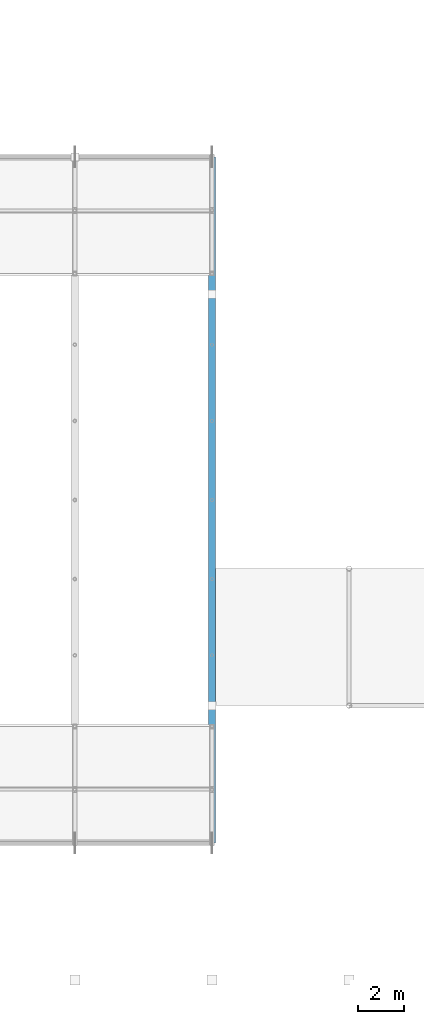
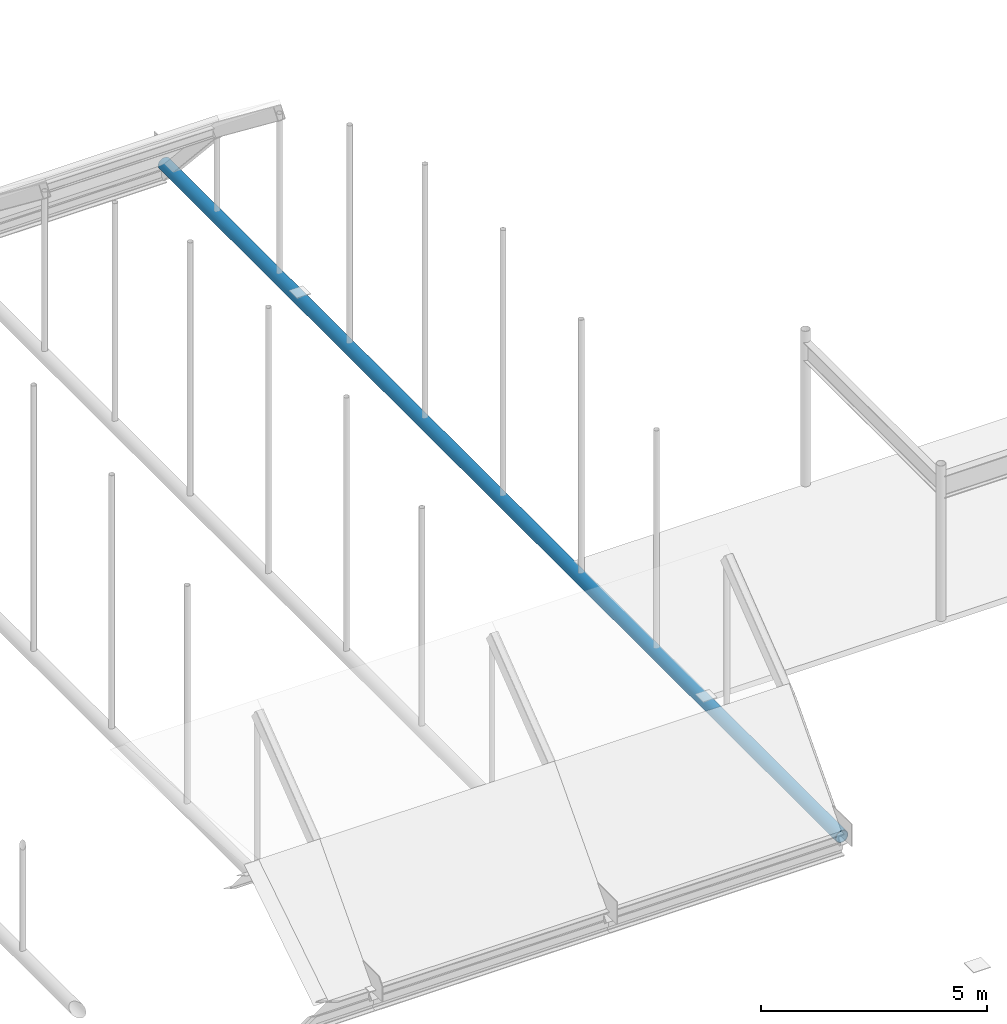
# One storey, part 55 of 116: 1 member.
"""IFC4 building model written with IfcOpenShell, lengths in metres."""

import ifcopenshell
import ifcopenshell.guid

model = None  # the IFC model being written
_history = None  # IfcOwnerHistory: only IFC2X3 demands one
_inside = {}  # id of a spatial element -> (the spatial element, [elements in it])
_under = {}  # id of a project, library or spatial element -> (it, [spatial elements below it])
_declared = {}  # id of a project -> (the project, [libraries it declares])
_typed = {}  # id of a type object -> (the type object, [elements of that type])
_made_of = {}  # id of a material, layer set ... -> (it, [elements and type objects made of it])


def new_model(schema):
    """Start an empty IFC model of exactly this schema.

    Asked for "IFC4X3", IfcOpenShell would pick the latest addendum, in which some entities
    have other attributes; the version numbers below select the first issue.
    IFC2X3 requires an IfcOwnerHistory on every rooted entity: one is made here for all.
    """
    global model, _history
    if schema == "IFC4X3":
        model = ifcopenshell.file(schema_version=(4, 3, 0, 0))
    else:
        model = ifcopenshell.file(schema=schema)
    _inside.clear()
    _under.clear()
    _declared.clear()
    _typed.clear()
    _made_of.clear()
    _history = None
    if model.schema == "IFC2X3":
        org = make("IfcOrganization", Name="unknown")
        user = make(
            "IfcPersonAndOrganization",
            ThePerson=make("IfcPerson", FamilyName="unknown"),
            TheOrganization=org,
        )
        app = make(
            "IfcApplication",
            ApplicationDeveloper=org,
            Version="unknown",
            ApplicationFullName="unknown",
            ApplicationIdentifier="unknown",
        )
        _history = make(
            "IfcOwnerHistory",
            OwningUser=user,
            OwningApplication=app,
            ChangeAction="ADDED",
            CreationDate=0,
        )
    return model


def make(cls, **values):
    """One entity of the class cls with the attributes given. An attribute that is None is left unset."""
    return model.create_entity(
        cls, **{name: value for name, value in values.items() if value is not None}
    )


def rooted(cls, **values):
    """An entity with a GlobalId (a new one), such as an element, a storey or a relation."""
    return make(cls, GlobalId=ifcopenshell.guid.new(), OwnerHistory=_history, **values)


def si_unit(unit_type, name, prefix=None):
    """IfcSIUnit, for example si_unit("LENGTHUNIT", "METRE", prefix="MILLI")."""
    return make("IfcSIUnit", UnitType=unit_type, Prefix=prefix, Name=name)


def assignment(units):
    """IfcUnitAssignment: the units of a project."""
    return None if units is None else make("IfcUnitAssignment", Units=units)


def point(xyz):
    """IfcCartesianPoint."""
    return None if xyz is None else make("IfcCartesianPoint", Coordinates=xyz)


def direction(xyz):
    """IfcDirection."""
    return None if xyz is None else make("IfcDirection", DirectionRatios=xyz)


def frame(location, z_axis=None, x_axis=None):
    """IfcAxis2Placement3D, a coordinate frame: its origin and axes. An axis left out is left unset."""
    return make(
        "IfcAxis2Placement3D",
        Location=point(location),
        Axis=direction(z_axis),
        RefDirection=direction(x_axis),
    )


def frame_2d(location, x_axis=None):
    """IfcAxis2Placement2D, a coordinate frame in the plane: its origin and x axis."""
    return make(
        "IfcAxis2Placement2D", Location=point(location), RefDirection=direction(x_axis)
    )


def origin():
    """The frame at (0, 0, 0) with its axes left unset."""
    return frame((0.0, 0.0, 0.0))


def origin_2d():
    """The frame at (0, 0) in the plane with its x axis left unset."""
    return frame_2d((0.0, 0.0))


def place(relative_to, where):
    """IfcLocalPlacement: puts the frame where relative to a parent placement (None: the world)."""
    return make(
        "IfcLocalPlacement", PlacementRelTo=relative_to, RelativePlacement=where
    )


def context(
    kind, dimensions, precision=None, world=None, true_north=None, identifier=None
):
    """IfcGeometricRepresentationContext, for example the 3D "Model" context."""
    return make(
        "IfcGeometricRepresentationContext",
        ContextIdentifier=identifier,
        ContextType=kind,
        CoordinateSpaceDimension=dimensions,
        Precision=precision,
        WorldCoordinateSystem=world,
        TrueNorth=true_north,
    )


def subcontext(parent, identifier, kind, view, scale=None):
    """IfcGeometricRepresentationSubContext, for example "Body" below "Model"."""
    return make(
        "IfcGeometricRepresentationSubContext",
        ContextIdentifier=identifier,
        ContextType=kind,
        ParentContext=parent,
        TargetScale=scale,
        TargetView=view,
    )


def project(units=None, contexts=None):
    """IfcProject with its units and contexts."""
    return rooted(
        "IfcProject",
        Name="project",
        RepresentationContexts=contexts,
        UnitsInContext=assignment(units),
    )


def spatial(cls, under=None, at=None, **own):
    """A site, building, storey or space (cls), placed at a placement, below another one or the project."""
    s = rooted(cls, ObjectPlacement=at, **own)
    if under is not None:
        _under.setdefault(under.id(), (under, []))[1].append(s)
    return s


def profile(cls, at=None, kind="AREA", **sizes):
    """A parametric profile (cls). Its sizes go by their IFC names, for example OverallWidth=200.0."""
    return make(cls, ProfileType=kind, Position=at, **sizes)


def hollow_circle(**sizes):
    """IfcCircleHollowProfileDef."""
    return profile("IfcCircleHollowProfileDef", **sizes)


def extrude(swept, where, along, depth):
    """IfcExtrudedAreaSolid: the profile swept, set in the frame where, extruded along a direction by depth."""
    return make(
        "IfcExtrudedAreaSolid",
        SweptArea=swept,
        Position=where,
        ExtrudedDirection=direction(along),
        Depth=depth,
    )


def shape(context_of_items, identifier, shape_type, items):
    """IfcShapeRepresentation: the items that make up one representation, for example the "Body"."""
    return make(
        "IfcShapeRepresentation",
        ContextOfItems=context_of_items,
        RepresentationIdentifier=identifier,
        RepresentationType=shape_type,
        Items=items,
    )


def material(Name=None, Category=None):
    """IfcMaterial."""
    return make("IfcMaterial", Name=Name, Category=Category)


def material_profile(
    of_material, cross_section, Name=None, Category=None, Priority=None
):
    """IfcMaterialProfile: a cross section and its material."""
    return make(
        "IfcMaterialProfile",
        Name=Name,
        Material=of_material,
        Profile=cross_section,
        Priority=Priority,
        Category=Category,
    )


def profile_set(profiles, Name=None, composite=None):
    """IfcMaterialProfileSet."""
    return make(
        "IfcMaterialProfileSet",
        Name=Name,
        MaterialProfiles=profiles,
        CompositeProfile=composite,
    )


def made_of(thing, what):
    """Note that an element or type object is made of a material, layer set ...; save() writes the relation."""
    if what is not None:
        _made_of.setdefault(what.id(), (what, []))[1].append(thing)
    return thing


def type_object(cls, material=None, **own):
    """A type object (cls), such as IfcWallType, which elements share."""
    return made_of(rooted(cls, **own), material)


def element(
    cls,
    number,
    at=None,
    inside=None,
    cuts=None,
    type_object=None,
    material=None,
    context=None,
    identifier="Body",
    shape_type=None,
    held_by="IfcProductDefinitionShape",
    body=None,
    shapes=None,
    **own,
):
    """One element of the class cls, such as IfcWall. Its Tag is "e" and its number.

    at: its placement. inside: the storey or other place that contains it. cuts: it is an
    opening in that element (IfcRelVoidsElement). A single representation is given by context,
    identifier, shape_type and body (its items); several are given by shapes. held_by: the class
    of the entity that holds the representations. save() writes the other relations.
    """
    e = rooted(cls, Tag="e%d" % number, ObjectPlacement=at, **own)
    if body is not None:
        shapes = [shape(context, identifier, shape_type, body)]
    if shapes is not None:
        e.Representation = make(held_by, Representations=shapes)
    if inside is not None:
        _inside.setdefault(inside.id(), (inside, []))[1].append(e)
    if cuts is not None:
        rooted(
            "IfcRelVoidsElement", RelatingBuildingElement=cuts, RelatedOpeningElement=e
        )
    if type_object is not None:
        _typed.setdefault(type_object.id(), (type_object, []))[1].append(e)
    return made_of(e, material)


def aggregate(whole, parts):
    """IfcRelAggregates: a whole, such as a stair, and the parts it consists of."""
    return rooted("IfcRelAggregates", RelatingObject=whole, RelatedObjects=parts)


def save(model, path):
    """Write the relations noted so far, then the file.

    IfcRelAggregates (storeys below a building ...), IfcRelContainedInSpatialStructure (elements
    in a storey), IfcRelDefinesByType, IfcRelAssociatesMaterial and IfcRelDeclares: one each for
    every whole, place, type object, material and project.
    """
    for whole, parts in _under.values():
        aggregate(whole, parts)
    for where, things in _inside.values():
        rooted(
            "IfcRelContainedInSpatialStructure",
            RelatedElements=things,
            RelatingStructure=where,
        )
    for kind, things in _typed.values():
        rooted("IfcRelDefinesByType", RelatedObjects=things, RelatingType=kind)
    for what, things in _made_of.values():
        rooted("IfcRelAssociatesMaterial", RelatedObjects=things, RelatingMaterial=what)
    for by, libraries in _declared.values():
        rooted("IfcRelDeclares", RelatingContext=by, RelatedDefinitions=libraries)
    model.write(path)


model = new_model("IFC4")

# Units and contexts
model_context = context("Model", 3, precision=1e-05, world=origin(), true_north=direction((0.0, 1.0)))
body_context = subcontext(model_context, "Body", "Model", "MODEL_VIEW")
ifc_project = project(units=[si_unit("LENGTHUNIT", "METRE"), si_unit("AREAUNIT", "SQUARE_METRE"), si_unit("VOLUMEUNIT", "CUBIC_METRE"), si_unit("PLANEANGLEUNIT", "RADIAN"), si_unit("MASSUNIT", "GRAM", prefix="KILO")], contexts=[model_context])

# Site, building, storey
site_placement = place(None, origin())
site = spatial("IfcSite", under=ifc_project, at=site_placement, CompositionType="ELEMENT")
building_placement = place(site_placement, origin())
building = spatial("IfcBuilding", under=site, at=building_placement, Name="Varnakota Square Police Headquarters", CompositionType="ELEMENT")
storey_placement = place(building_placement, frame((0.0, 0.0, 9.300048828125)))
storey = spatial("IfcBuildingStorey", under=building, at=storey_placement, Name="L02", CompositionType="ELEMENT", Elevation=9.300048828125)

# Member
ifc_material = material(Name="Steel IS 2062 Grade 350", Category="steel")
ifc_material_profile = material_profile(ifc_material, hollow_circle(Radius=0.161865234375, WallThickness=0.0126953125, at=origin_2d()), Name="CHS 323.9x12.7")
ifc_profile_set = profile_set([ifc_material_profile], Name="Steel IS 2062 Grade 350")
member_type = type_object("IfcMemberType", Name="MEM-TIE-CHS273", PredefinedType="CHORD", material=ifc_profile_set)
member_placement = place(storey_placement, frame((96.0, 9.0, -0.150146484375), z_axis=(0.0, 1.0, 0.0), x_axis=(-1.0, 0.0, 0.0)))
element("IfcMember", 1, at=member_placement, inside=storey, type_object=member_type, Name="Barrel vault tie rod V1-R08", PredefinedType="CHORD", context=body_context, shape_type="SweptSolid", body=[
    extrude(hollow_circle(Radius=0.161865234375, WallThickness=0.0126953125, at=origin_2d()), origin(), (0.0, 0.0, 1.0), 30.0),
])

save(model, "model.ifc")
